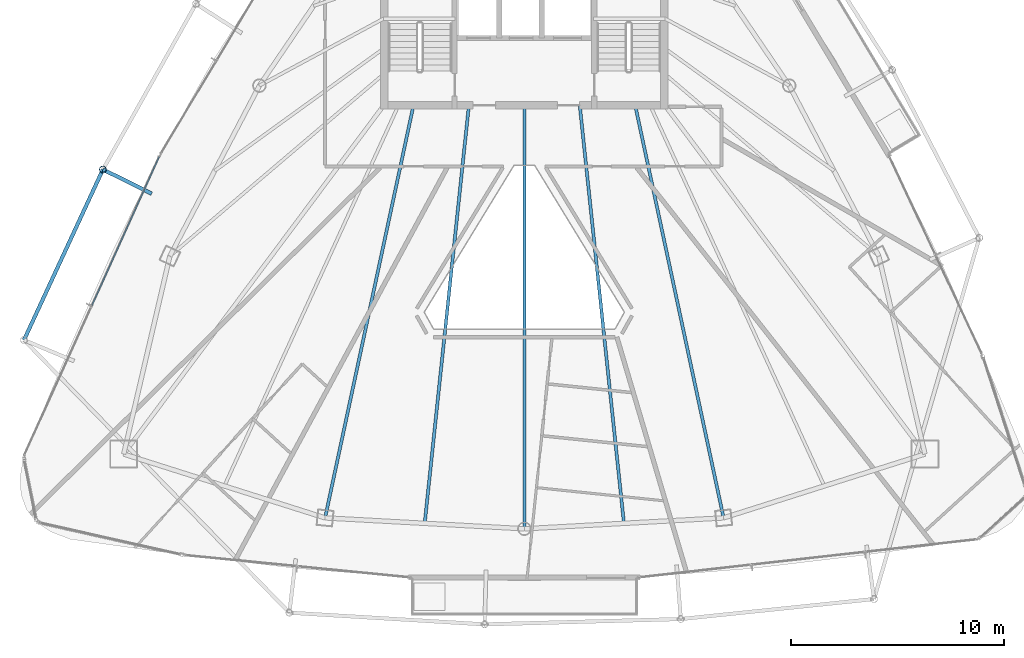
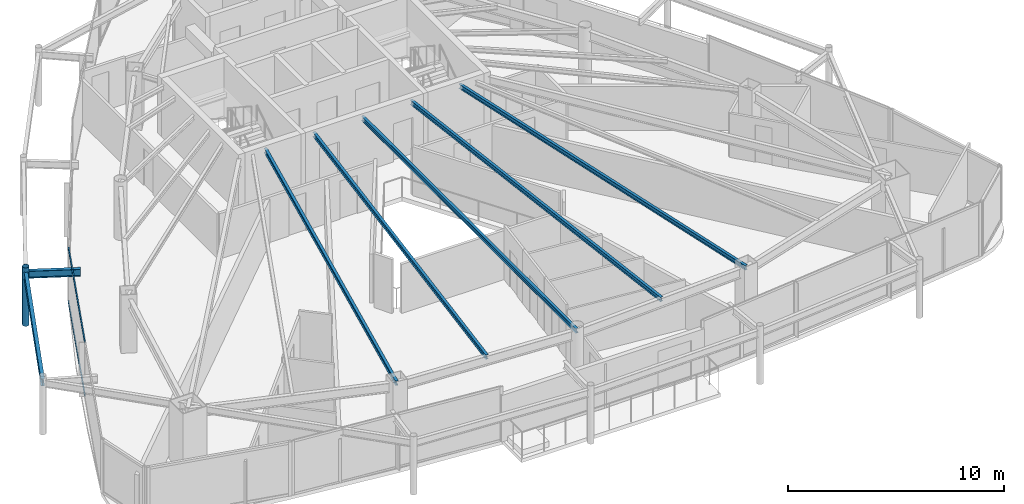
# One storey, part 10 of 34: 7 beams, 3 members, 1 element without a shape of its own.
"""IFC4 building model written with IfcOpenShell, lengths in metres."""

from ifc_helpers import new_model, si_unit, direction, frame, origin, origin_2d, place, context, subcontext, project, spatial, hollow_rectangle, hollow_circle, i_section, extrude, material, layer, layer_set, material_profile, profile_set, type_object, element, aggregate, save


model = new_model("IFC4")

# Units and contexts
model_context = context("Model", 3, precision=1e-05, world=origin(), true_north=direction((0.0, 1.0)))
body_context = subcontext(model_context, "Body", "Model", "MODEL_VIEW")
ifc_project = project(units=[si_unit("LENGTHUNIT", "METRE"), si_unit("AREAUNIT", "SQUARE_METRE"), si_unit("VOLUMEUNIT", "CUBIC_METRE"), si_unit("PLANEANGLEUNIT", "RADIAN"), si_unit("MASSUNIT", "GRAM", prefix="KILO")], contexts=[model_context])

# Site, building, storey
site_placement = place(None, origin())
site = spatial("IfcSite", under=ifc_project, at=site_placement, CompositionType="ELEMENT")
building_placement = place(site_placement, origin())
building = spatial("IfcBuilding", under=site, at=building_placement, Name="Orvanel Arch Residences", CompositionType="ELEMENT")
storey_placement = place(building_placement, frame((0.0, 0.0, 199.699951171875)))
storey = spatial("IfcBuildingStorey", under=building, at=storey_placement, Name="L56", CompositionType="ELEMENT", Elevation=199.699951171875)

# Beams
ifc_material_1 = material(Name="Structural steel AS/NZS 3679.1 Grade 300 (300 MPa)", Category="steel")
ifc_material_profile_1 = material_profile(ifc_material_1, i_section(OverallWidth=0.14599609375, OverallDepth=0.251953125, WebThickness=0.006103515625, FlangeThickness=0.008544921875, at=origin_2d()), Name="250UB31.4")
ifc_profile_set_1 = profile_set([ifc_material_profile_1], Name="Structural steel AS/NZS 3679.1 Grade 300 (300 MPa)")
beam_type_1 = type_object("IfcBeamType", Name="BJ-250UB", PredefinedType="JOIST", material=ifc_profile_set_1)
for number, where, z_axis, x_axis, name in (
    (1, (27.800048828125, 26.72509765625, 2.93408203125), (-0.209547604985, -0.977798446125, 0.0), (0.977798446125, -0.209547604985, 0.0), "L56 SW Wing Floor Joist"),
    (2, (38.199951171875, 26.72509765625, 2.93408203125), (0.209547604985, -0.977798446125, 0.0), (0.977798446125, 0.209547604985, 0.0), "L56 SE Wing Floor Joist"),
):
    element("IfcBeam", number, at=place(storey_placement, frame(where, z_axis=z_axis, x_axis=x_axis)), inside=storey, type_object=beam_type_1, Name=name, PredefinedType="JOIST", context=body_context, shape_type="SweptSolid", body=[
        extrude(i_section(OverallWidth=0.14599609375, OverallDepth=0.251953125, WebThickness=0.006103515625, FlangeThickness=0.008544921875, at=origin_2d()), origin(), (0.0, 0.0, 1.0), 19.809814453125),
    ])
beam_1_placement = place(storey_placement, frame((33.0, 26.72509765625, 2.93408203125), z_axis=(0.0, -1.0, 0.0), x_axis=(1.0, 0.0, 0.0)))
element("IfcBeam", 3, at=beam_1_placement, inside=storey, type_object=beam_type_1, Name="L56 SSW Wing Floor Joist", PredefinedType="JOIST", context=body_context, shape_type="SweptSolid", body=[
    extrude(i_section(OverallWidth=0.14599609375, OverallDepth=0.251953125, WebThickness=0.006103515625, FlangeThickness=0.008544921875, at=origin_2d()), origin(), (0.0, 0.0, 1.0), 19.881103515625),
])
for number, where, z_axis, x_axis, name in (
    (4, (30.39990234375, 26.72509765625, 2.93408203125), (-0.105143936131, -0.994457014, 0.0), (0.994457014, -0.105143936131, 0.0), "L56 WSW2 Wing Floor Joist"),
    (5, (35.60009765625, 26.72509765625, 2.93408203125), (0.105143936131, -0.994457014, 0.0), (0.994457014, 0.105143936131, 0.0), "L56 ESE2 Wing Floor Joist"),
):
    element("IfcBeam", number, at=place(storey_placement, frame(where, z_axis=z_axis, x_axis=x_axis)), inside=storey, type_object=beam_type_1, Name=name, PredefinedType="JOIST", context=body_context, shape_type="SweptSolid", body=[
        extrude(i_section(OverallWidth=0.14599609375, OverallDepth=0.251953125, WebThickness=0.006103515625, FlangeThickness=0.008544921875, at=origin_2d()), origin(), (0.0, 0.0, 1.0), 19.734375),
    ])
ifc_material_profile_2 = material_profile(ifc_material_1, i_section(OverallWidth=0.177978515625, OverallDepth=0.406005859375, WebThickness=0.0078125, FlangeThickness=0.0126953125, at=origin_2d()), Name="410UB59.7")
ifc_profile_set_2 = profile_set([ifc_material_profile_2], Name="Structural steel AS/NZS 3679.1 Grade 300 (300 MPa)")
beam_type_2 = type_object("IfcBeamType", Name="OB-410UB-EXT", PredefinedType="SPANDREL", material=ifc_profile_set_2)
beam_2_placement = place(storey_placement, frame((15.510009765625, 22.573974609375, 2.85693359375), z_axis=(-0.896618867703, 0.442803123385, 0.0), x_axis=(-0.442803123385, -0.896618867703, 0.0)))
element("IfcBeam", 6, at=beam_2_placement, inside=storey, type_object=beam_type_2, Name="L56 Outer Frame Radial Tie Beam 03", PredefinedType="SPANDREL", context=body_context, shape_type="SweptSolid", body=[
    extrude(i_section(OverallWidth=0.177978515625, OverallDepth=0.406005859375, WebThickness=0.0078125, FlangeThickness=0.0126953125, at=origin_2d()), origin(), (0.0, 0.0, 1.0), 2.549560546875),
])
beam_3_placement = place(storey_placement, frame((13.22412109375, 23.702880859375, 2.85693359375), z_axis=(-0.420076277338, -0.9074887995, 0.0), x_axis=(0.9074887995, -0.420076277338, 0.0)))
element("IfcBeam", 7, at=beam_3_placement, inside=storey, type_object=beam_type_2, Name="L56 Outer Perimeter Floor Ring Beam 03", PredefinedType="SPANDREL", context=body_context, shape_type="SweptSolid", body=[
    extrude(i_section(OverallWidth=0.177978515625, OverallDepth=0.406005859375, WebThickness=0.0078125, FlangeThickness=0.0126953125, at=origin_2d()), origin(), (0.0, 0.0, 1.0), 8.817626953125),
])

# Member
ifc_material_2 = material(Name="Structural steel AS/NZS 1163 C350L0 (Grade 350)", Category="steel")
ifc_material_profile_3 = material_profile(ifc_material_2, hollow_circle(Radius=0.162109375, WallThickness=0.0126953125, at=origin_2d()), Name="CHS324x12.7")
ifc_profile_set_3 = profile_set([ifc_material_profile_3], Name="Structural steel AS/NZS 1163 C350L0 (Grade 350)")
member_type_1 = type_object("IfcMemberType", Name="ST-324CHS-EXT", PredefinedType="STRUT", material=ifc_profile_set_3)
member_1_placement = place(storey_placement, frame((13.22412109375, 23.702880859375, 0.0), z_axis=(0.0, 0.0, 1.0), x_axis=(1.0, 0.0, 0.0)))
element("IfcMember", 8, at=member_1_placement, inside=storey, type_object=member_type_1, Name="L56 Outer Perimeter Frame Post 03", PredefinedType="STRUT", context=body_context, shape_type="SweptSolid", body=[
    extrude(hollow_circle(Radius=0.162109375, WallThickness=0.0126953125, at=origin_2d()), origin(), (0.0, 0.0, 1.0), 3.300048828125),
])

# Curtain wall, members
ifc_material_3 = material(Name="Bronze-anodised aluminium AA6063-T6", Category="aluminium")
ifc_layer = layer(ifc_material_3, 0.175048828125)
ifc_layer_set = layer_set([ifc_layer], Name="Bronze-anodised aluminium AA6063-T6")
curtain_wall_type = type_object("IfcCurtainWallType", Name="CW4-HI-SYS", PredefinedType="NOTDEFINED", material=ifc_layer_set)
curtain_wall_placement = place(storey_placement, origin())
curtain_wall = element("IfcCurtainWall", 9, at=curtain_wall_placement, inside=storey, type_object=curtain_wall_type, Name="L56 CW4-HI-SYS Unitised Curtain Wall", PredefinedType="NOTDEFINED")
ifc_material_profile_4 = material_profile(ifc_material_3, hollow_rectangle(XDim=0.06005859375, YDim=0.1201171875, WallThickness=0.00341796875, at=origin_2d()), Name="ALU120x60x3.5")
ifc_profile_set_4 = profile_set([ifc_material_profile_4], Name="Bronze-anodised aluminium AA6063-T6")
member_type_2 = type_object("IfcMemberType", Name="TRN-120x60", PredefinedType="USERDEFINED", material=ifc_profile_set_4)
member_2_placement = place(storey_placement, frame((15.8662109375, 24.306884765625, 0.030029296875), z_axis=(-0.411757574699, -0.911293421285, 0.0), x_axis=(0.911293421285, -0.411757574699, 0.0)))
member_2 = element("IfcMember", 10, at=member_2_placement, type_object=member_type_2, Name="CW-S4 transom 1.1", ObjectType="TRANSOM", PredefinedType="USERDEFINED", context=body_context, shape_type="SweptSolid", body=[
    extrude(hollow_rectangle(XDim=0.06005859375, YDim=0.1201171875, WallThickness=0.00341796875, at=origin_2d()), origin(), (0.0, 0.0, 1.0), 7.656982421875),
])
member_3_placement = place(storey_placement, frame((15.8662109375, 24.306884765625, 3.030029296875), z_axis=(-0.411757574699, -0.911293421285, 0.0), x_axis=(0.911293421285, -0.411757574699, 0.0)))
member_3 = element("IfcMember", 11, at=member_3_placement, type_object=member_type_2, Name="CW-S4 transom 1.2", ObjectType="TRANSOM", PredefinedType="USERDEFINED", context=body_context, shape_type="SweptSolid", body=[
    extrude(hollow_rectangle(XDim=0.06005859375, YDim=0.1201171875, WallThickness=0.00341796875, at=origin_2d()), origin(), (0.0, 0.0, 1.0), 7.656982421875),
])
aggregate(curtain_wall, [member_2, member_3])

save(model, "model.ifc")
